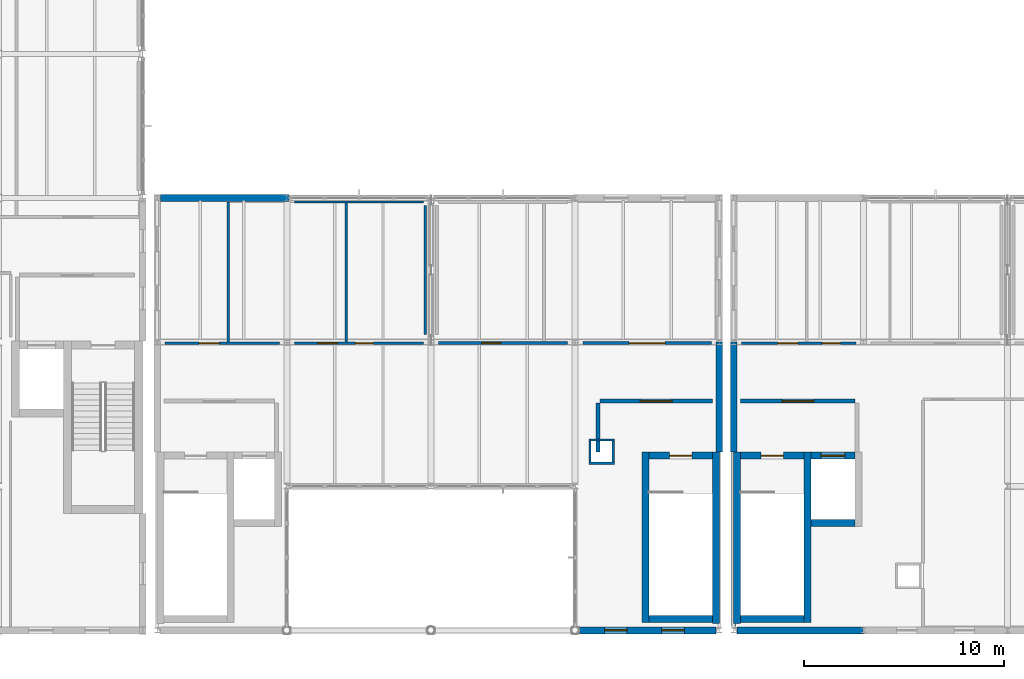
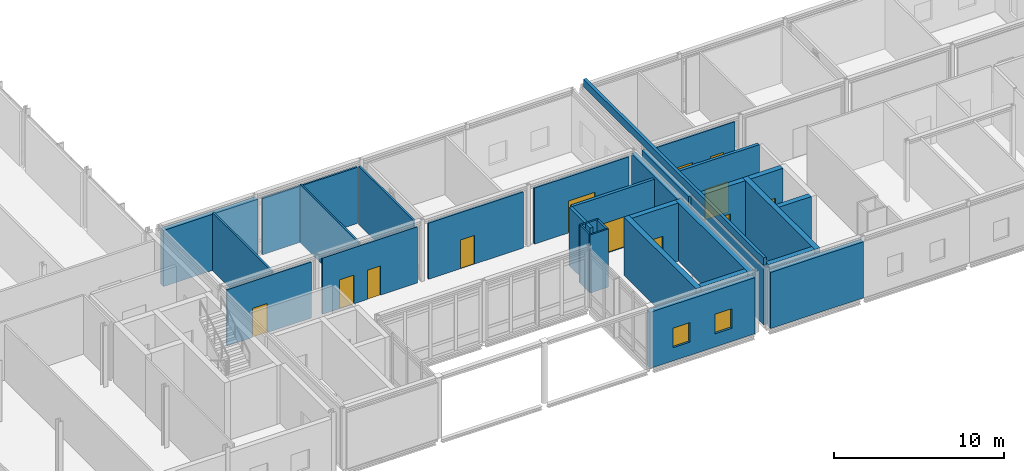
# One storey, part 31 of 43: 32 walls, 12 doors, 2 windows, 14 openings.
"""IFC4 building model written with IfcOpenShell, lengths in metres."""

from ifc_helpers import new_model, si_unit, direction, frame, frame_2d, origin, place, context, subcontext, project, spatial, rectangle, extrude, material, layer, layer_set, type_object, element, fill, save


model = new_model("IFC4")

# Units and contexts
model_context = context("Model", 3, precision=1e-05, world=origin(), true_north=direction((0.0, 1.0)))
body_context = subcontext(model_context, "Body", "Model", "MODEL_VIEW")
ifc_project = project(units=[si_unit("LENGTHUNIT", "METRE"), si_unit("AREAUNIT", "SQUARE_METRE"), si_unit("VOLUMEUNIT", "CUBIC_METRE"), si_unit("PLANEANGLEUNIT", "RADIAN"), si_unit("MASSUNIT", "GRAM", prefix="KILO")], contexts=[model_context])

# Site, building, storey
site_placement = place(None, origin())
site = spatial("IfcSite", under=ifc_project, at=site_placement, CompositionType="ELEMENT")
building_placement = place(site_placement, origin())
building = spatial("IfcBuilding", under=site, at=building_placement, Name="Zarrinpeak Specialist Clinic", CompositionType="ELEMENT")
storey_placement = place(building_placement, frame((0.0, 0.0, 18.39990234375)))
storey = spatial("IfcBuildingStorey", under=building, at=storey_placement, Name="L04", CompositionType="ELEMENT", Elevation=18.39990234375)

# Wall
ifc_material_1 = material(Name="Concrete C40/50", Category="concrete")
ifc_layer_1 = layer(ifc_material_1, 0.35009765625)
ifc_layer_set_1 = layer_set([ifc_layer_1], Name="Concrete C40/50")
wall_type_1 = type_object("IfcWallType", Name="WL-CR350", PredefinedType="SHEAR", material=ifc_layer_set_1)
wall_1_placement = place(storey_placement, frame((54.10009765625, 0.574951171875, 0.0), z_axis=(0.0, 0.0, 1.0), x_axis=(1.0, 0.0, 0.0)))
element("IfcWall", 1, at=wall_1_placement, inside=storey, type_object=wall_type_1, Name="L04 Core C04 Shear Wall STS", PredefinedType="SHEAR", context=body_context, shape_type="SweptSolid", body=[
    extrude(rectangle(XDim=3.14990234375, YDim=0.35009765625, at=frame_2d((1.574951171875, 0.0))), origin(), (0.0, 0.0, 1.0), 4.18017578125),
])

# Wall, opening, door
wall_2_placement = place(storey_placement, frame((54.10009765625, 8.72509765625, 0.0), z_axis=(0.0, 0.0, 1.0), x_axis=(1.0, 0.0, 0.0)))
wall_2 = element("IfcWall", 2, at=wall_2_placement, inside=storey, type_object=wall_type_1, Name="L04 Core C04 Shear Wall STN", PredefinedType="SHEAR", context=body_context, shape_type="SweptSolid", body=[
    extrude(rectangle(XDim=3.14990234375, YDim=0.35009765625, at=frame_2d((1.574951171875, 0.0))), origin(), (0.0, 0.0, 1.0), 4.18017578125),
])
opening_1_placement = place(wall_2_placement, frame((1.02490234375, 0.0, 0.0)))
opening_1 = element("IfcOpeningElement", 3, at=opening_1_placement, cuts=wall_2, Name="Opening D-S02", PredefinedType="OPENING", context=body_context, shape_type="SweptSolid", body=[
    extrude(rectangle(XDim=1.10009765625, YDim=2.14990234375, at=frame_2d((0.550048828125, 1.074951171875))), frame((0.0, 0.18505859375, 0.0), z_axis=(0.0, -1.0, 0.0), x_axis=(1.0, 0.0, 0.0)), (0.0, 0.0, 1.0), 0.3701171875),
])
ifc_material_2 = material(Name="Powder-Coated Galvanised Steel", Category="steel")
door_type_1 = type_object("IfcDoorType", Name="DR-FD110", OperationType="SINGLE_SWING_RIGHT", PredefinedType="DOOR", material=ifc_material_2)
door_1_placement = place(opening_1_placement, frame((1.10009765625, 0.0, 0.0), z_axis=(0.0, 0.0, 1.0), x_axis=(-1.0, 0.0, 0.0)))
door_1 = element("IfcDoor", 4, at=door_1_placement, inside=storey, type_object=door_type_1, Name="L04 Protected Stair ST-04 Fire Door", OperationType="SINGLE_SWING_RIGHT", OverallHeight=2.14990234375, OverallWidth=1.10009765625, PredefinedType="DOOR", context=body_context, shape_type="SweptSolid", body=[
    extrude(rectangle(XDim=1.10009765625, YDim=2.14990234375, at=frame_2d((0.550048828125, 1.074951171875))), frame((0.0, 0.02490234375, 0.0), z_axis=(0.0, -1.0, 0.0), x_axis=(1.0, 0.0, 0.0)), (0.0, 0.0, 1.0), 0.050048828125),
])
fill(opening_1, door_1)

# Walls
wall_3_placement = place(storey_placement, frame((53.925048828125, 0.39990234375, 0.0), z_axis=(0.0, 0.0, 1.0), x_axis=(0.0, 1.0, 0.0)))
element("IfcWall", 5, at=wall_3_placement, inside=storey, type_object=wall_type_1, Name="L04 Core C04 Shear Wall STW", PredefinedType="SHEAR", context=body_context, shape_type="SweptSolid", body=[
    extrude(rectangle(XDim=8.5, YDim=0.35009765625, at=frame_2d((4.25, 0.0))), origin(), (0.0, 0.0, 1.0), 4.18017578125),
])
wall_4_placement = place(storey_placement, frame((57.425048828125, 0.340087890625, 0.0), z_axis=(0.0, 0.0, 1.0), x_axis=(0.0, 1.0, 0.0)))
element("IfcWall", 6, at=wall_4_placement, inside=storey, type_object=wall_type_1, Name="L04 Core C04 Shear Wall STE", PredefinedType="SHEAR", context=body_context, shape_type="SweptSolid", body=[
    extrude(rectangle(XDim=8.559814453125, YDim=0.35009765625, at=frame_2d((4.27978515625, 0.0))), origin(), (0.0, 0.0, 1.0), 4.18017578125),
])
wall_5_placement = place(storey_placement, frame((58.669921875, 0.574951171875, 0.0), z_axis=(0.0, 0.0, 1.0), x_axis=(1.0, 0.0, 0.0)))
element("IfcWall", 7, at=wall_5_placement, inside=storey, type_object=wall_type_1, Name="L04 Core C07 Shear Wall STS", PredefinedType="SHEAR", context=body_context, shape_type="SweptSolid", body=[
    extrude(rectangle(XDim=3.150146484375, YDim=0.35009765625, at=frame_2d((1.5751953125, 0.0))), origin(), (0.0, 0.0, 1.0), 4.18017578125),
])

# Wall, opening, door
wall_6_placement = place(storey_placement, frame((58.669921875, 8.72509765625, 0.0), z_axis=(0.0, 0.0, 1.0), x_axis=(1.0, 0.0, 0.0)))
wall_6 = element("IfcWall", 8, at=wall_6_placement, inside=storey, type_object=wall_type_1, Name="L04 Core C07 Shear Wall STN", PredefinedType="SHEAR", context=body_context, shape_type="SweptSolid", body=[
    extrude(rectangle(XDim=3.150146484375, YDim=0.35009765625, at=frame_2d((1.5751953125, 0.0))), origin(), (0.0, 0.0, 1.0), 4.18017578125),
])
opening_2_placement = place(wall_6_placement, frame((1.02490234375, 0.0, 0.0)))
opening_2 = element("IfcOpeningElement", 9, at=opening_2_placement, cuts=wall_6, Name="Opening D-S02", PredefinedType="OPENING", context=body_context, shape_type="SweptSolid", body=[
    extrude(rectangle(XDim=1.10009765625, YDim=2.14990234375, at=frame_2d((0.550048828125, 1.074951171875))), frame((0.0, 0.18505859375, 0.0), z_axis=(0.0, -1.0, 0.0), x_axis=(1.0, 0.0, 0.0)), (0.0, 0.0, 1.0), 0.3701171875),
])
door_2_placement = place(opening_2_placement, frame((1.10009765625, 0.0, 0.0), z_axis=(0.0, 0.0, 1.0), x_axis=(-1.0, 0.0, 0.0)))
door_2 = element("IfcDoor", 10, at=door_2_placement, inside=storey, type_object=door_type_1, Name="L04 Protected Stair ST-07 Fire Door", OperationType="SINGLE_SWING_RIGHT", OverallHeight=2.14990234375, OverallWidth=1.10009765625, PredefinedType="DOOR", context=body_context, shape_type="SweptSolid", body=[
    extrude(rectangle(XDim=1.10009765625, YDim=2.14990234375, at=frame_2d((0.550048828125, 1.074951171875))), frame((0.0, 0.02490234375, 0.0), z_axis=(0.0, -1.0, 0.0), x_axis=(1.0, 0.0, 0.0)), (0.0, 0.0, 1.0), 0.050048828125),
])
fill(opening_2, door_2)

# Walls
wall_7_placement = place(storey_placement, frame((58.4951171875, 0.340087890625, 0.0), z_axis=(0.0, 0.0, 1.0), x_axis=(0.0, 1.0, 0.0)))
element("IfcWall", 11, at=wall_7_placement, inside=storey, type_object=wall_type_1, Name="L04 Core C07 Shear Wall STW", PredefinedType="SHEAR", context=body_context, shape_type="SweptSolid", body=[
    extrude(rectangle(XDim=8.559814453125, YDim=0.35009765625, at=frame_2d((4.27978515625, 0.0))), origin(), (0.0, 0.0, 1.0), 4.18017578125),
])
wall_8_placement = place(storey_placement, frame((61.9951171875, 0.39990234375, 0.0), z_axis=(0.0, 0.0, 1.0), x_axis=(0.0, 1.0, 0.0)))
element("IfcWall", 12, at=wall_8_placement, inside=storey, type_object=wall_type_1, Name="L04 Core C07 Shear Wall STE", PredefinedType="SHEAR", context=body_context, shape_type="SweptSolid", body=[
    extrude(rectangle(XDim=8.5, YDim=0.35009765625, at=frame_2d((4.25, 0.0))), origin(), (0.0, 0.0, 1.0), 4.18017578125),
])
wall_9_placement = place(storey_placement, frame((62.169921875, 5.375, 0.0), z_axis=(0.0, 0.0, 1.0), x_axis=(1.0, 0.0, 0.0)))
element("IfcWall", 13, at=wall_9_placement, inside=storey, type_object=wall_type_1, Name="L04 Lift LF-P4 Shaft Wall LFS", PredefinedType="SHEAR", context=body_context, shape_type="SweptSolid", body=[
    extrude(rectangle(XDim=2.2001953125, YDim=0.35009765625, at=frame_2d((1.10009765625, 0.0))), origin(), (0.0, 0.0, 1.0), 4.18017578125),
])

# Wall, opening, door
wall_10_placement = place(storey_placement, frame((62.169921875, 8.72509765625, 0.0), z_axis=(0.0, 0.0, 1.0), x_axis=(1.0, 0.0, 0.0)))
wall_10 = element("IfcWall", 14, at=wall_10_placement, inside=storey, type_object=wall_type_1, Name="L04 Lift LF-P4 Shaft Wall LFN", PredefinedType="SHEAR", context=body_context, shape_type="SweptSolid", body=[
    extrude(rectangle(XDim=2.2001953125, YDim=0.35009765625, at=frame_2d((1.10009765625, 0.0))), origin(), (0.0, 0.0, 1.0), 4.18017578125),
])
opening_3_placement = place(wall_10_placement, frame((0.5, 0.0, 0.0)))
opening_3 = element("IfcOpeningElement", 15, at=opening_3_placement, cuts=wall_10, Name="Opening LD-02", PredefinedType="OPENING", context=body_context, shape_type="SweptSolid", body=[
    extrude(rectangle(XDim=1.199951171875, YDim=2.199951171875, at=frame_2d((0.60009765625, 1.10009765625))), frame((0.0, 0.18505859375, 0.0), z_axis=(0.0, -1.0, 0.0), x_axis=(1.0, 0.0, 0.0)), (0.0, 0.0, 1.0), 0.3701171875),
])
door_type_2 = type_object("IfcDoorType", Name="DR-LD120", OperationType="SLIDING_TO_RIGHT", PredefinedType="DOOR", material=ifc_material_2)
door_3_placement = place(opening_3_placement, origin())
door_3 = element("IfcDoor", 16, at=door_3_placement, inside=storey, type_object=door_type_2, Name="L04 Lift LF-P4 Sliding Landing Door", OperationType="SLIDING_TO_RIGHT", OverallHeight=2.199951171875, OverallWidth=1.199951171875, PredefinedType="DOOR", context=body_context, shape_type="SweptSolid", body=[
    extrude(rectangle(XDim=1.199951171875, YDim=2.199951171875, at=frame_2d((0.60009765625, 1.10009765625))), frame((0.0, 0.02490234375, 0.0), z_axis=(0.0, -1.0, 0.0), x_axis=(1.0, 0.0, 0.0)), (0.0, 0.0, 1.0), 0.050048828125),
])
fill(opening_3, door_3)

# Wall, openings, windows
ifc_material_3 = material(Name="Precast concrete C40/50", Category="concrete")
ifc_layer_2 = layer(ifc_material_3, 0.340087890625)
ifc_layer_set_2 = layer_set([ifc_layer_2], Name="Precast concrete C40/50")
wall_type_2 = type_object("IfcWallType", Name="WL-EW340", PredefinedType="STANDARD", material=ifc_layer_set_2)
wall_11_placement = place(storey_placement, frame((50.2900390625, 0.0, 0.0), z_axis=(0.0, 0.0, 1.0), x_axis=(1.0, 0.0, 0.0)))
wall_11 = element("IfcWall", 17, at=wall_11_placement, inside=storey, type_object=wall_type_2, Name="L04 V2 Exterior GRC Wall EW-L04-V2-0144", PredefinedType="STANDARD", context=body_context, shape_type="SweptSolid", body=[
    extrude(rectangle(XDim=7.139892578125, YDim=0.340087890625, at=frame_2d((3.56982421875, 0.0))), origin(), (0.0, 0.0, 1.0), 4.03515625),
])
opening_4_placement = place(wall_11_placement, frame((1.575927734375, 0.0, 0.949951171875)))
opening_4 = element("IfcOpeningElement", 18, at=opening_4_placement, cuts=wall_11, Name="Opening WS-61", PredefinedType="OPENING", context=body_context, shape_type="SweptSolid", body=[
    extrude(rectangle(XDim=1.132080078125, YDim=1.404052734375, at=frame_2d((0.56591796875, 0.7021484375))), frame((0.0, 0.18017578125, 0.0), z_axis=(0.0, -1.0, 0.0), x_axis=(1.0, 0.0, 0.0)), (0.0, 0.0, 1.0), 0.360107421875),
])
opening_5_placement = place(wall_11_placement, frame((4.431884765625, 0.0, 0.949951171875)))
opening_5 = element("IfcOpeningElement", 19, at=opening_5_placement, cuts=wall_11, Name="Opening WS-61", PredefinedType="OPENING", context=body_context, shape_type="SweptSolid", body=[
    extrude(rectangle(XDim=1.132080078125, YDim=1.404052734375, at=frame_2d((0.56591796875, 0.7021484375))), frame((0.0, 0.18017578125, 0.0), z_axis=(0.0, -1.0, 0.0), x_axis=(1.0, 0.0, 0.0)), (0.0, 0.0, 1.0), 0.360107421875),
])
ifc_material_4 = material(Name="Thermally Broken Aluminium and Low-E Glazing", Category="aluminium")
window_type = type_object("IfcWindowType", Name="WN-SP61", PartitioningType="SINGLE_PANEL", PredefinedType="WINDOW", material=ifc_material_4)
window_1_placement = place(opening_4_placement, origin())
window_1 = element("IfcWindow", 20, at=window_1_placement, inside=storey, type_object=window_type, Name="L04 Modular Facade Window WN-L04-0176", OverallHeight=1.404052734375, OverallWidth=1.132080078125, PartitioningType="SINGLE_PANEL", PredefinedType="WINDOW", context=body_context, shape_type="SweptSolid", body=[
    extrude(rectangle(XDim=1.132080078125, YDim=1.404052734375, at=frame_2d((0.56591796875, 0.7021484375))), frame((0.0, 0.030029296875, 0.0), z_axis=(0.0, -1.0, 0.0), x_axis=(1.0, 0.0, 0.0)), (0.0, 0.0, 1.0), 0.06005859375),
])
fill(opening_4, window_1)
window_2_placement = place(opening_5_placement, origin())
window_2 = element("IfcWindow", 21, at=window_2_placement, inside=storey, type_object=window_type, Name="L04 Modular Facade Window WN-L04-0177", OverallHeight=1.404052734375, OverallWidth=1.132080078125, PartitioningType="SINGLE_PANEL", PredefinedType="WINDOW", context=body_context, shape_type="SweptSolid", body=[
    extrude(rectangle(XDim=1.132080078125, YDim=1.404052734375, at=frame_2d((0.56591796875, 0.7021484375))), frame((0.0, 0.030029296875, 0.0), z_axis=(0.0, -1.0, 0.0), x_axis=(1.0, 0.0, 0.0)), (0.0, 0.0, 1.0), 0.06005859375),
])
fill(opening_5, window_2)

# Walls
wall_12_placement = place(storey_placement, frame((36.110107421875, 21.60009765625, 0.0), z_axis=(0.0, 0.0, 1.0), x_axis=(-1.0, 0.0, 0.0)))
element("IfcWall", 22, at=wall_12_placement, inside=storey, type_object=wall_type_2, Name="L04 V2 Exterior GRC Wall EW-L04-V2-0145", PredefinedType="STANDARD", context=body_context, shape_type="SweptSolid", body=[
    extrude(rectangle(XDim=6.420166015625, YDim=0.340087890625, at=frame_2d((3.2099609375, 0.0))), origin(), (0.0, 0.0, 1.0), 4.03515625),
])
wall_13_placement = place(storey_placement, frame((57.60009765625, 8.89990234375, 0.0), z_axis=(0.0, 0.0, 1.0), x_axis=(0.0, 1.0, 0.0)))
element("IfcWall", 23, at=wall_13_placement, inside=storey, type_object=wall_type_2, Name="L04 V2 Exterior GRC Wall EW-L04-V2-0149", PredefinedType="STANDARD", context=body_context, shape_type="SweptSolid", body=[
    extrude(rectangle(XDim=5.5, YDim=0.340087890625, at=frame_2d((2.75, 0.0))), origin(), (0.0, 0.0, 1.0), 4.110107421875),
])
wall_14_placement = place(storey_placement, frame((58.489990234375, 0.0, 0.0), z_axis=(0.0, 0.0, 1.0), x_axis=(1.0, 0.0, 0.0)))
element("IfcWall", 24, at=wall_14_placement, inside=storey, type_object=wall_type_2, Name="L04 V4 Exterior GRC Wall EW-L04-V4-0201", PredefinedType="STANDARD", context=body_context, shape_type="SweptSolid", body=[
    extrude(rectangle(XDim=6.31005859375, YDim=0.340087890625, at=frame_2d((3.155029296875, 0.0))), origin(), (0.0, 0.0, 1.0), 4.03515625),
])
wall_15_placement = place(storey_placement, frame((58.320068359375, 14.39990234375, 0.0), z_axis=(0.0, 0.0, 1.0), x_axis=(0.0, -1.0, 0.0)))
element("IfcWall", 25, at=wall_15_placement, inside=storey, type_object=wall_type_2, Name="L04 V4 Exterior GRC Wall EW-L04-V4-0207", PredefinedType="STANDARD", context=body_context, shape_type="SweptSolid", body=[
    extrude(rectangle(XDim=5.5, YDim=0.340087890625, at=frame_2d((2.75, 0.0))), origin(), (0.0, 0.0, 1.0), 4.110107421875),
])
ifc_material_5 = material(Name="Sanitary Service Chase Plumbing Wall", Category="gypsum")
ifc_layer_3 = layer(ifc_material_5, 0.110107421875)
ifc_layer_set_3 = layer_set([ifc_layer_3], Name="Sanitary Service Chase Plumbing Wall")
wall_type_3 = type_object("IfcWallType", Name="WL-IW110", PredefinedType="PARTITIONING", material=ifc_layer_set_3)
for number, where, z_axis, x_axis, name in (
    (26, (51.090087890625, 8.344970703125, 0.0), (0.0, 0.0, 1.0), (1.0, 0.0, 0.0), "L04 V2 Enclosed MEP Service Riser Wall S"),
    (27, (51.090087890625, 9.5048828125, 0.0), (0.0, 0.0, 1.0), (1.0, 0.0, 0.0), "L04 V2 Enclosed MEP Service Riser Wall N"),
):
    element("IfcWall", number, at=place(storey_placement, frame(where, z_axis=z_axis, x_axis=x_axis)), inside=storey, type_object=wall_type_3, Name=name, PredefinedType="PARTITIONING", context=body_context, shape_type="SweptSolid", body=[
        extrude(rectangle(XDim=1.27001953125, YDim=0.110107421875, at=frame_2d((0.635009765625, 0.0))), origin(), (0.0, 0.0, 1.0), 4.18017578125),
    ])
for number, where, z_axis, x_axis, name in (
    (28, (51.14501953125, 8.39990234375, 0.0), (0.0, 0.0, 1.0), (0.0, 1.0, 0.0), "L04 V2 Enclosed MEP Service Riser Wall W"),
    (29, (52.304931640625, 8.39990234375, 0.0), (0.0, 0.0, 1.0), (0.0, 1.0, 0.0), "L04 V2 Enclosed MEP Service Riser Wall E"),
):
    element("IfcWall", number, at=place(storey_placement, frame(where, z_axis=z_axis, x_axis=x_axis)), inside=storey, type_object=wall_type_3, Name=name, PredefinedType="PARTITIONING", context=body_context, shape_type="SweptSolid", body=[
        extrude(rectangle(XDim=1.050048828125, YDim=0.110107421875, at=frame_2d((0.52490234375, 0.0))), origin(), (0.0, 0.0, 1.0), 4.18017578125),
    ])
wall_16_placement = place(storey_placement, frame((36.3798828125, 21.39990234375, 0.0), z_axis=(0.0, 0.0, 1.0), x_axis=(1.0, 0.0, 0.0)))
element("IfcWall", 30, at=wall_16_placement, inside=storey, type_object=wall_type_3, Name="L04 Staff Washroom Partition", PredefinedType="PARTITIONING", context=body_context, shape_type="SweptSolid", body=[
    extrude(rectangle(XDim=6.440185546875, YDim=0.110107421875, at=frame_2d((3.22021484375, 0.0))), origin(), (0.0, 0.0, 1.0), 4.03515625),
])
wall_17_placement = place(storey_placement, frame((38.969970703125, 14.41259765625, 0.0), z_axis=(0.0, 0.0, 1.0), x_axis=(0.0, 1.0, 0.0)))
element("IfcWall", 31, at=wall_17_placement, inside=storey, type_object=wall_type_3, Name="L04 Staff Washroom Dividing Partition", PredefinedType="PARTITIONING", context=body_context, shape_type="SweptSolid", body=[
    extrude(rectangle(XDim=6.932373046875, YDim=0.110107421875, at=frame_2d((3.46630859375, 0.0))), origin(), (0.0, 0.0, 1.0), 4.18017578125),
])

# Wall, opening, door
ifc_material_6 = material(Name="Moisture-Resistant Wet-Room Partition", Category="gypsum")
ifc_layer_4 = layer(ifc_material_6, 0.125)
ifc_layer_set_4 = layer_set([ifc_layer_4], Name="Moisture-Resistant Wet-Room Partition")
wall_type_4 = type_object("IfcWallType", Name="WL-IW125W", PredefinedType="PARTITIONING", material=ifc_layer_set_4)
wall_18_placement = place(storey_placement, frame((29.89990234375, 14.35009765625, 0.0), z_axis=(0.0, 0.0, 1.0), x_axis=(1.0, 0.0, 0.0)))
wall_18 = element("IfcWall", 32, at=wall_18_placement, inside=storey, type_object=wall_type_4, Name="L04 Accessible Patient WC Partition", PredefinedType="PARTITIONING", context=body_context, shape_type="SweptSolid", body=[
    extrude(rectangle(XDim=5.72021484375, YDim=0.125, at=frame_2d((2.860107421875, 0.0))), origin(), (0.0, 0.0, 1.0), 4.03515625),
])
opening_6_placement = place(wall_18_placement, frame((1.719970703125, 0.0, 0.0)))
opening_6 = element("IfcOpeningElement", 33, at=opening_6_placement, cuts=wall_18, Name="Opening D-W02", PredefinedType="OPENING", context=body_context, shape_type="SweptSolid", body=[
    extrude(rectangle(XDim=1.0, YDim=2.10009765625, at=frame_2d((0.5, 1.050048828125))), frame((0.0, 0.072509765625, 0.0), z_axis=(0.0, -1.0, 0.0), x_axis=(1.0, 0.0, 0.0)), (0.0, 0.0, 1.0), 0.14501953125),
])
door_type_3 = type_object("IfcDoorType", Name="DR-AWC100", OperationType="SLIDING_TO_LEFT", PredefinedType="DOOR", material=ifc_material_2)
door_4_placement = place(opening_6_placement, frame((1.0, 0.0, 0.0), z_axis=(0.0, 0.0, 1.0), x_axis=(-1.0, 0.0, 0.0)))
door_4 = element("IfcDoor", 34, at=door_4_placement, inside=storey, type_object=door_type_3, Name="L04 Accessible Patient WC Door", OperationType="SLIDING_TO_LEFT", OverallHeight=2.10009765625, OverallWidth=1.0, PredefinedType="DOOR", context=body_context, shape_type="SweptSolid", body=[
    extrude(rectangle(XDim=1.0, YDim=2.10009765625, at=frame_2d((0.5, 1.050048828125))), frame((0.0, 0.02490234375, 0.0), z_axis=(0.0, -1.0, 0.0), x_axis=(1.0, 0.0, 0.0)), (0.0, 0.0, 1.0), 0.050048828125),
])
fill(opening_6, door_4)

# Wall, openings, doors
wall_19_placement = place(storey_placement, frame((36.3798828125, 14.35009765625, 0.0), z_axis=(0.0, 0.0, 1.0), x_axis=(1.0, 0.0, 0.0)))
wall_19 = element("IfcWall", 35, at=wall_19_placement, inside=storey, type_object=wall_type_4, Name="L04 Accessible Patient WC Partition", PredefinedType="PARTITIONING", context=body_context, shape_type="SweptSolid", body=[
    extrude(rectangle(XDim=6.440185546875, YDim=0.125, at=frame_2d((3.22021484375, 0.0))), origin(), (0.0, 0.0, 1.0), 4.03515625),
])
opening_7_placement = place(wall_19_placement, frame((3.0400390625, 0.0, 0.0)))
opening_7 = element("IfcOpeningElement", 36, at=opening_7_placement, cuts=wall_19, Name="Opening D-W01", PredefinedType="OPENING", context=body_context, shape_type="SweptSolid", body=[
    extrude(rectangle(XDim=0.89990234375, YDim=2.10009765625, at=frame_2d((0.449951171875, 1.050048828125))), frame((0.0, 0.072509765625, 0.0), z_axis=(0.0, -1.0, 0.0), x_axis=(1.0, 0.0, 0.0)), (0.0, 0.0, 1.0), 0.14501953125),
])
opening_8_placement = place(wall_19_placement, frame((1.156005859375, 0.0, 0.0)))
opening_8 = element("IfcOpeningElement", 37, at=opening_8_placement, cuts=wall_19, Name="Opening DS-18", PredefinedType="OPENING", context=body_context, shape_type="SweptSolid", body=[
    extrude(rectangle(XDim=0.98388671875, YDim=2.068115234375, at=frame_2d((0.491943359375, 1.0341796875))), frame((0.0, 0.072509765625, 0.0), z_axis=(0.0, -1.0, 0.0), x_axis=(1.0, 0.0, 0.0)), (0.0, 0.0, 1.0), 0.14501953125),
])
door_type_4 = type_object("IfcDoorType", Name="DR-SP18", OperationType="SINGLE_SWING_LEFT", PredefinedType="DOOR", material=ifc_material_2)
door_5_placement = place(opening_8_placement, frame((0.98388671875, 0.0, 0.0), z_axis=(0.0, 0.0, 1.0), x_axis=(-1.0, 0.0, 0.0)))
door_5 = element("IfcDoor", 38, at=door_5_placement, inside=storey, type_object=door_type_4, Name="L04 Behavioral Health Consult Suite Door", OperationType="SINGLE_SWING_LEFT", OverallHeight=2.068115234375, OverallWidth=0.98388671875, PredefinedType="DOOR", context=body_context, shape_type="SweptSolid", body=[
    extrude(rectangle(XDim=0.98388671875, YDim=2.068115234375, at=frame_2d((0.491943359375, 1.0341796875))), frame((0.0, 0.02490234375, 0.0), z_axis=(0.0, -1.0, 0.0), x_axis=(1.0, 0.0, 0.0)), (0.0, 0.0, 1.0), 0.050048828125),
])
fill(opening_8, door_5)
door_type_5 = type_object("IfcDoorType", Name="DR-WC90", OperationType="SINGLE_SWING_RIGHT", PredefinedType="DOOR", material=ifc_material_2)
door_6_placement = place(opening_7_placement, frame((0.89990234375, 0.0, 0.0), z_axis=(0.0, 0.0, 1.0), x_axis=(-1.0, 0.0, 0.0)))
door_6 = element("IfcDoor", 39, at=door_6_placement, inside=storey, type_object=door_type_5, Name="L04 Staff Washroom Door", OperationType="SINGLE_SWING_RIGHT", OverallHeight=2.10009765625, OverallWidth=0.89990234375, PredefinedType="DOOR", context=body_context, shape_type="SweptSolid", body=[
    extrude(rectangle(XDim=0.89990234375, YDim=2.10009765625, at=frame_2d((0.449951171875, 1.050048828125))), frame((0.0, 0.02490234375, 0.0), z_axis=(0.0, -1.0, 0.0), x_axis=(1.0, 0.0, 0.0)), (0.0, 0.0, 1.0), 0.050048828125),
])
fill(opening_7, door_6)

wall_20_placement = place(storey_placement, frame((58.699951171875, 14.35009765625, 0.0), z_axis=(0.0, 0.0, 1.0), x_axis=(1.0, 0.0, 0.0)))
wall_20 = element("IfcWall", 40, at=wall_20_placement, inside=storey, type_object=wall_type_4, Name="L04 Accessible Patient WC Partition", PredefinedType="PARTITIONING", context=body_context, shape_type="SweptSolid", body=[
    extrude(rectangle(XDim=5.719970703125, YDim=0.125, at=frame_2d((2.85986328125, 0.0))), origin(), (0.0, 0.0, 1.0), 4.03515625),
])
opening_9_placement = place(wall_20_placement, frame((1.820068359375, 0.0, 0.0)))
opening_9 = element("IfcOpeningElement", 41, at=opening_9_placement, cuts=wall_20, Name="Opening D-W02", PredefinedType="OPENING", context=body_context, shape_type="SweptSolid", body=[
    extrude(rectangle(XDim=1.0, YDim=2.10009765625, at=frame_2d((0.5, 1.050048828125))), frame((0.0, 0.072509765625, 0.0), z_axis=(0.0, -1.0, 0.0), x_axis=(1.0, 0.0, 0.0)), (0.0, 0.0, 1.0), 0.14501953125),
])
opening_10_placement = place(wall_20_placement, frame((4.044921875, 0.0, 0.0)))
opening_10 = element("IfcOpeningElement", 42, at=opening_10_placement, cuts=wall_20, Name="Opening D-W01", PredefinedType="OPENING", context=body_context, shape_type="SweptSolid", body=[
    extrude(rectangle(XDim=0.89990234375, YDim=2.10009765625, at=frame_2d((0.449951171875, 1.050048828125))), frame((0.0, 0.072509765625, 0.0), z_axis=(0.0, -1.0, 0.0), x_axis=(1.0, 0.0, 0.0)), (0.0, 0.0, 1.0), 0.14501953125),
])
door_7_placement = place(opening_9_placement, frame((1.0, 0.0, 0.0), z_axis=(0.0, 0.0, 1.0), x_axis=(-1.0, 0.0, 0.0)))
door_7 = element("IfcDoor", 43, at=door_7_placement, inside=storey, type_object=door_type_3, Name="L04 Accessible Patient WC Door", OperationType="SLIDING_TO_LEFT", OverallHeight=2.10009765625, OverallWidth=1.0, PredefinedType="DOOR", context=body_context, shape_type="SweptSolid", body=[
    extrude(rectangle(XDim=1.0, YDim=2.10009765625, at=frame_2d((0.5, 1.050048828125))), frame((0.0, 0.02490234375, 0.0), z_axis=(0.0, -1.0, 0.0), x_axis=(1.0, 0.0, 0.0)), (0.0, 0.0, 1.0), 0.050048828125),
])
fill(opening_9, door_7)
door_8_placement = place(opening_10_placement, frame((0.89990234375, 0.0, 0.0), z_axis=(0.0, 0.0, 1.0), x_axis=(-1.0, 0.0, 0.0)))
door_8 = element("IfcDoor", 44, at=door_8_placement, inside=storey, type_object=door_type_5, Name="L04 Staff Washroom Door", OperationType="SINGLE_SWING_RIGHT", OverallHeight=2.10009765625, OverallWidth=0.89990234375, PredefinedType="DOOR", context=body_context, shape_type="SweptSolid", body=[
    extrude(rectangle(XDim=0.89990234375, YDim=2.10009765625, at=frame_2d((0.449951171875, 1.050048828125))), frame((0.0, 0.02490234375, 0.0), z_axis=(0.0, -1.0, 0.0), x_axis=(1.0, 0.0, 0.0)), (0.0, 0.0, 1.0), 0.050048828125),
])
fill(opening_10, door_8)

# Walls
wall_21_placement = place(storey_placement, frame((33.070068359375, 14.41259765625, 0.0), z_axis=(0.0, 0.0, 1.0), x_axis=(0.0, 1.0, 0.0)))
element("IfcWall", 45, at=wall_21_placement, inside=storey, type_object=wall_type_4, Name="L04 Accessible Patient WC Dividing Partition", PredefinedType="PARTITIONING", context=body_context, shape_type="SweptSolid", body=[
    extrude(rectangle(XDim=6.9873046875, YDim=0.125, at=frame_2d((3.49365234375, 0.0))), origin(), (0.0, 0.0, 1.0), 4.18017578125),
])
wall_22_placement = place(storey_placement, frame((42.89990234375, 14.780029296875, 0.0), z_axis=(0.0, 0.0, 1.0), x_axis=(0.0, 1.0, 0.0)))
element("IfcWall", 46, at=wall_22_placement, inside=storey, type_object=wall_type_4, Name="L04 Staff Washroom Dividing Partition", PredefinedType="PARTITIONING", context=body_context, shape_type="SweptSolid", body=[
    extrude(rectangle(XDim=6.43994140625, YDim=0.125, at=frame_2d((3.219970703125, 0.0))), origin(), (0.0, 0.0, 1.0), 4.18017578125),
])

# Wall, opening, door
ifc_material_7 = material(Name="Acoustic Consultation Stud Partition", Category="gypsum")
ifc_layer_5 = layer(ifc_material_7, 0.14208984375)
ifc_layer_set_5 = layer_set([ifc_layer_5], Name="Acoustic Consultation Stud Partition")
wall_type_5 = type_object("IfcWallType", Name="WL-IW142", PredefinedType="PARTITIONING", material=ifc_layer_set_5)
wall_23_placement = place(storey_placement, frame((43.580078125, 14.35009765625, 0.0), z_axis=(0.0, 0.0, 1.0), x_axis=(1.0, 0.0, 0.0)))
wall_23 = element("IfcWall", 47, at=wall_23_placement, inside=storey, type_object=wall_type_5, Name="L04 Social Work Coordination Office Partition", PredefinedType="PARTITIONING", context=body_context, shape_type="SweptSolid", body=[
    extrude(rectangle(XDim=6.43994140625, YDim=0.14208984375, at=frame_2d((3.219970703125, 0.0))), origin(), (0.0, 0.0, 1.0), 4.03515625),
])
opening_11_placement = place(wall_23_placement, frame((2.156005859375, 0.0, 0.0)))
opening_11 = element("IfcOpeningElement", 48, at=opening_11_placement, cuts=wall_23, Name="Opening DS-17", PredefinedType="OPENING", context=body_context, shape_type="SweptSolid", body=[
    extrude(rectangle(XDim=0.9580078125, YDim=2.068115234375, at=frame_2d((0.47900390625, 1.0341796875))), frame((0.0, 0.0810546875, 0.0), z_axis=(0.0, -1.0, 0.0), x_axis=(1.0, 0.0, 0.0)), (0.0, 0.0, 1.0), 0.162109375),
])
door_type_6 = type_object("IfcDoorType", Name="DR-SP17", OperationType="SINGLE_SWING_RIGHT", PredefinedType="DOOR", material=ifc_material_2)
door_9_placement = place(opening_11_placement, frame((0.9580078125, 0.0, 0.0), z_axis=(0.0, 0.0, 1.0), x_axis=(-1.0, 0.0, 0.0)))
door_9 = element("IfcDoor", 49, at=door_9_placement, inside=storey, type_object=door_type_6, Name="L04 Social Work Coordination Office Door", OperationType="SINGLE_SWING_RIGHT", OverallHeight=2.068115234375, OverallWidth=0.9580078125, PredefinedType="DOOR", context=body_context, shape_type="SweptSolid", body=[
    extrude(rectangle(XDim=0.9580078125, YDim=2.068115234375, at=frame_2d((0.47900390625, 1.0341796875))), frame((0.0, 0.02490234375, 0.0), z_axis=(0.0, -1.0, 0.0), x_axis=(1.0, 0.0, 0.0)), (0.0, 0.0, 1.0), 0.050048828125),
])
fill(opening_11, door_9)

wall_24_placement = place(storey_placement, frame((50.780029296875, 14.35009765625, 0.0), z_axis=(0.0, 0.0, 1.0), x_axis=(1.0, 0.0, 0.0)))
wall_24 = element("IfcWall", 50, at=wall_24_placement, inside=storey, type_object=wall_type_5, Name="L04 Social Work Coordination Office Partition", PredefinedType="PARTITIONING", context=body_context, shape_type="SweptSolid", body=[
    extrude(rectangle(XDim=6.43994140625, YDim=0.14208984375, at=frame_2d((3.219970703125, 0.0))), origin(), (0.0, 0.0, 1.0), 4.03515625),
])
opening_12_placement = place(wall_24_placement, frame((2.320068359375, 0.0, 0.0)))
opening_12 = element("IfcOpeningElement", 51, at=opening_12_placement, cuts=wall_24, Name="Opening D-H01", PredefinedType="OPENING", context=body_context, shape_type="SweptSolid", body=[
    extrude(rectangle(XDim=1.800048828125, YDim=2.300048828125, at=frame_2d((0.89990234375, 1.14990234375))), frame((0.0, 0.0810546875, 0.0), z_axis=(0.0, -1.0, 0.0), x_axis=(1.0, 0.0, 0.0)), (0.0, 0.0, 1.0), 0.162109375),
])
door_type_7 = type_object("IfcDoorType", Name="DR-HAL180", OperationType="DOUBLE_DOOR_SINGLE_SWING", PredefinedType="DOOR", material=ifc_material_2)
door_10_placement = place(opening_12_placement, frame((1.800048828125, 0.0, 0.0), z_axis=(0.0, 0.0, 1.0), x_axis=(-1.0, 0.0, 0.0)))
door_10 = element("IfcDoor", 52, at=door_10_placement, inside=storey, type_object=door_type_7, Name="L04 Group Therapy Seminar Room Door", OperationType="DOUBLE_DOOR_SINGLE_SWING", OverallHeight=2.300048828125, OverallWidth=1.800048828125, PredefinedType="DOOR", context=body_context, shape_type="SweptSolid", body=[
    extrude(rectangle(XDim=1.800048828125, YDim=2.300048828125, at=frame_2d((0.89990234375, 1.14990234375))), frame((0.0, 0.02490234375, 0.0), z_axis=(0.0, -1.0, 0.0), x_axis=(1.0, 0.0, 0.0)), (0.0, 0.0, 1.0), 0.050048828125),
])
fill(opening_12, door_10)

ifc_material_8 = material(Name="Autoclaved Aerated Concrete Blockwork", Category="masonry")
ifc_layer_6 = layer(ifc_material_8, 0.199951171875)
ifc_layer_set_6 = layer_set([ifc_layer_6], Name="Autoclaved Aerated Concrete Blockwork")
wall_type_6 = type_object("IfcWallType", Name="WL-IW200", PredefinedType="PARTITIONING", material=ifc_layer_set_6)
wall_25_placement = place(storey_placement, frame((51.64990234375, 11.449951171875, 0.0), z_axis=(0.0, 0.0, 1.0), x_axis=(1.0, 0.0, 0.0)))
wall_25 = element("IfcWall", 53, at=wall_25_placement, inside=storey, type_object=wall_type_6, Name="L04 C04 Protected Lobby Partition LBF", PredefinedType="PARTITIONING", context=body_context, shape_type="SweptSolid", body=[
    extrude(rectangle(XDim=5.60009765625, YDim=0.199951171875, at=frame_2d((2.800048828125, 0.0))), origin(), (0.0, 0.0, 1.0), 4.18017578125),
])
opening_13_placement = place(wall_25_placement, frame((2.0, 0.0, 0.0)))
opening_13 = element("IfcOpeningElement", 54, at=opening_13_placement, cuts=wall_25, Name="Opening D-L01", PredefinedType="OPENING", context=body_context, shape_type="SweptSolid", body=[
    extrude(rectangle(XDim=1.60009765625, YDim=2.199951171875, at=frame_2d((0.800048828125, 1.10009765625))), frame((0.0, 0.10986328125, 0.0), z_axis=(0.0, -1.0, 0.0), x_axis=(1.0, 0.0, 0.0)), (0.0, 0.0, 1.0), 0.219970703125),
])
door_type_8 = type_object("IfcDoorType", Name="DR-LB160", OperationType="DOUBLE_DOOR_SINGLE_SWING", PredefinedType="DOOR", material=ifc_material_2)
door_11_placement = place(opening_13_placement, origin())
door_11 = element("IfcDoor", 55, at=door_11_placement, inside=storey, type_object=door_type_8, Name="L04 C04 Lobby Hold-Open Fire Door", OperationType="DOUBLE_DOOR_SINGLE_SWING", OverallHeight=2.199951171875, OverallWidth=1.60009765625, PredefinedType="DOOR", context=body_context, shape_type="SweptSolid", body=[
    extrude(rectangle(XDim=1.60009765625, YDim=2.199951171875, at=frame_2d((0.800048828125, 1.10009765625))), frame((0.0, 0.02490234375, 0.0), z_axis=(0.0, -1.0, 0.0), x_axis=(1.0, 0.0, 0.0)), (0.0, 0.0, 1.0), 0.050048828125),
])
fill(opening_13, door_11)

# Wall
wall_26_placement = place(storey_placement, frame((51.550048828125, 8.89990234375, 0.0), z_axis=(0.0, 0.0, 1.0), x_axis=(0.0, 1.0, 0.0)))
element("IfcWall", 56, at=wall_26_placement, inside=storey, type_object=wall_type_6, Name="L04 C04 Protected Lobby Partition LBW", PredefinedType="PARTITIONING", context=body_context, shape_type="SweptSolid", body=[
    extrude(rectangle(XDim=2.4501953125, YDim=0.199951171875, at=frame_2d((1.22509765625, 0.0))), origin(), (0.0, 0.0, 1.0), 4.18017578125),
])

# Wall, opening, door
wall_27_placement = place(storey_placement, frame((58.669921875, 11.449951171875, 0.0), z_axis=(0.0, 0.0, 1.0), x_axis=(1.0, 0.0, 0.0)))
wall_27 = element("IfcWall", 57, at=wall_27_placement, inside=storey, type_object=wall_type_6, Name="L04 C07 Protected Lobby Partition LBF", PredefinedType="PARTITIONING", context=body_context, shape_type="SweptSolid", body=[
    extrude(rectangle(XDim=5.7001953125, YDim=0.199951171875, at=frame_2d((2.85009765625, 0.0))), origin(), (0.0, 0.0, 1.0), 4.18017578125),
])
opening_14_placement = place(wall_27_placement, frame((2.050048828125, 0.0, 0.0)))
opening_14 = element("IfcOpeningElement", 58, at=opening_14_placement, cuts=wall_27, Name="Opening D-L01", PredefinedType="OPENING", context=body_context, shape_type="SweptSolid", body=[
    extrude(rectangle(XDim=1.60009765625, YDim=2.199951171875, at=frame_2d((0.800048828125, 1.10009765625))), frame((0.0, 0.10986328125, 0.0), z_axis=(0.0, -1.0, 0.0), x_axis=(1.0, 0.0, 0.0)), (0.0, 0.0, 1.0), 0.219970703125),
])
door_12_placement = place(opening_14_placement, origin())
door_12 = element("IfcDoor", 59, at=door_12_placement, inside=storey, type_object=door_type_8, Name="L04 C07 Lobby Hold-Open Fire Door", OperationType="DOUBLE_DOOR_SINGLE_SWING", OverallHeight=2.199951171875, OverallWidth=1.60009765625, PredefinedType="DOOR", context=body_context, shape_type="SweptSolid", body=[
    extrude(rectangle(XDim=1.60009765625, YDim=2.199951171875, at=frame_2d((0.800048828125, 1.10009765625))), frame((0.0, 0.02490234375, 0.0), z_axis=(0.0, -1.0, 0.0), x_axis=(1.0, 0.0, 0.0)), (0.0, 0.0, 1.0), 0.050048828125),
])
fill(opening_14, door_12)

# Wall
ifc_layer_7 = layer(ifc_material_3, 0.199951171875)
ifc_layer_set_7 = layer_set([ifc_layer_7], Name="Precast concrete C40/50")
wall_type_7 = type_object("IfcWallType", Name="WL-PAR200", PredefinedType="PARAPET", material=ifc_layer_set_7)
wall_28_placement = place(storey_placement, frame((58.320068359375, 0.199951171875, 4.400146484375), z_axis=(0.0, 0.0, 1.0), x_axis=(0.0, 1.0, 0.0)))
element("IfcWall", 60, at=wall_28_placement, inside=storey, type_object=wall_type_7, Name="V4 Eave Gutter Parapet Upstand PAR-RF-05", PredefinedType="PARAPET", context=body_context, shape_type="SweptSolid", body=[
    extrude(rectangle(XDim=21.199951171875, YDim=0.199951171875, at=frame_2d((10.60009765625, 0.0))), origin(), (0.0, 0.0, 1.0), 0.550048828125),
])

save(model, "model.ifc")
